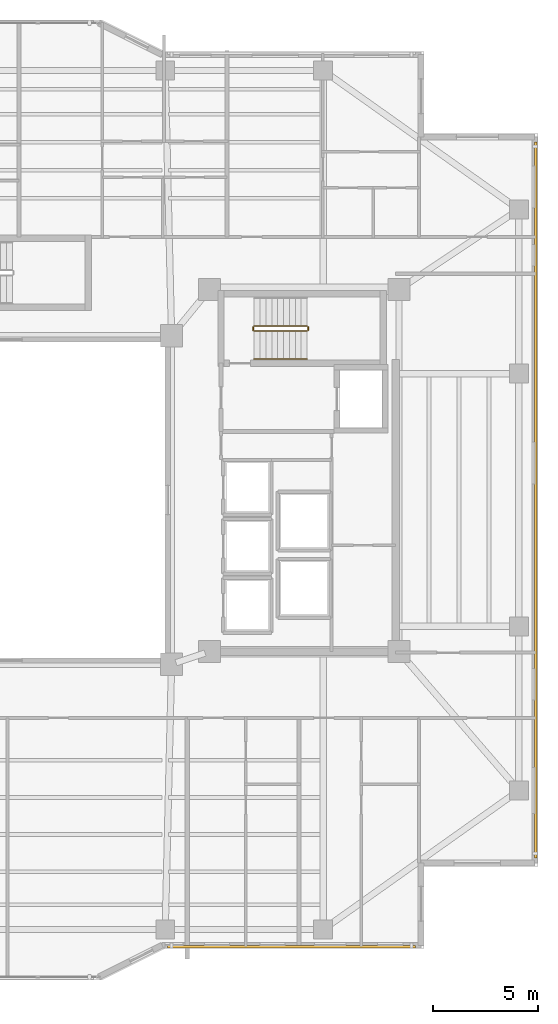
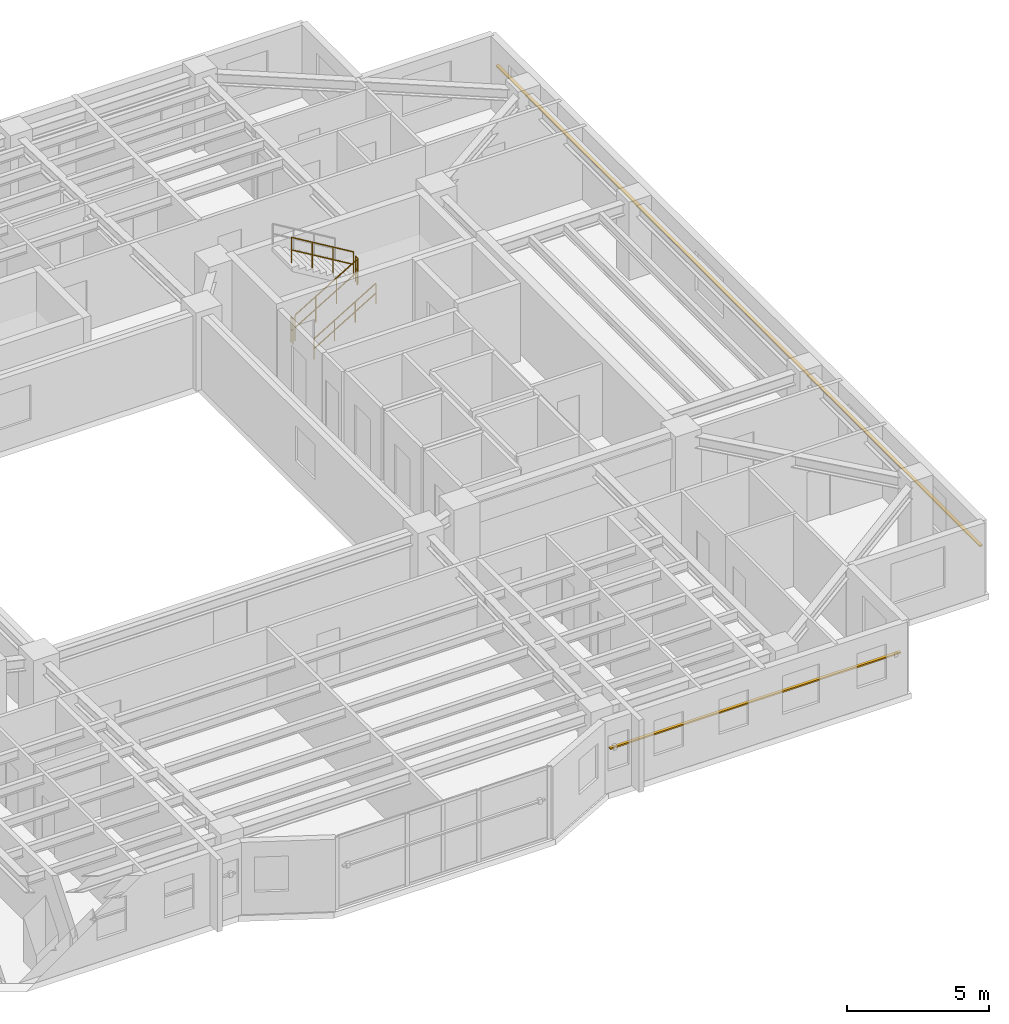
# One storey, part 15 of 16: 5 railings, 2 shading devices.
"""IFC4 building model written with IfcOpenShell, lengths in metres."""

import ifcopenshell
import ifcopenshell.guid

model = None  # the IFC model being written
_history = None  # IfcOwnerHistory: only IFC2X3 demands one
_inside = {}  # id of a spatial element -> (the spatial element, [elements in it])
_under = {}  # id of a project, library or spatial element -> (it, [spatial elements below it])
_declared = {}  # id of a project -> (the project, [libraries it declares])
_typed = {}  # id of a type object -> (the type object, [elements of that type])
_made_of = {}  # id of a material, layer set ... -> (it, [elements and type objects made of it])


def new_model(schema):
    """Start an empty IFC model of exactly this schema.

    Asked for "IFC4X3", IfcOpenShell would pick the latest addendum, in which some entities
    have other attributes; the version numbers below select the first issue.
    IFC2X3 requires an IfcOwnerHistory on every rooted entity: one is made here for all.
    """
    global model, _history
    if schema == "IFC4X3":
        model = ifcopenshell.file(schema_version=(4, 3, 0, 0))
    else:
        model = ifcopenshell.file(schema=schema)
    _inside.clear()
    _under.clear()
    _declared.clear()
    _typed.clear()
    _made_of.clear()
    _history = None
    if model.schema == "IFC2X3":
        org = make("IfcOrganization", Name="unknown")
        user = make(
            "IfcPersonAndOrganization",
            ThePerson=make("IfcPerson", FamilyName="unknown"),
            TheOrganization=org,
        )
        app = make(
            "IfcApplication",
            ApplicationDeveloper=org,
            Version="unknown",
            ApplicationFullName="unknown",
            ApplicationIdentifier="unknown",
        )
        _history = make(
            "IfcOwnerHistory",
            OwningUser=user,
            OwningApplication=app,
            ChangeAction="ADDED",
            CreationDate=0,
        )
    return model


def make(cls, **values):
    """One entity of the class cls with the attributes given. An attribute that is None is left unset."""
    return model.create_entity(
        cls, **{name: value for name, value in values.items() if value is not None}
    )


def rooted(cls, **values):
    """An entity with a GlobalId (a new one), such as an element, a storey or a relation."""
    return make(cls, GlobalId=ifcopenshell.guid.new(), OwnerHistory=_history, **values)


def si_unit(unit_type, name, prefix=None):
    """IfcSIUnit, for example si_unit("LENGTHUNIT", "METRE", prefix="MILLI")."""
    return make("IfcSIUnit", UnitType=unit_type, Prefix=prefix, Name=name)


def assignment(units):
    """IfcUnitAssignment: the units of a project."""
    return None if units is None else make("IfcUnitAssignment", Units=units)


def point(xyz):
    """IfcCartesianPoint."""
    return None if xyz is None else make("IfcCartesianPoint", Coordinates=xyz)


def direction(xyz):
    """IfcDirection."""
    return None if xyz is None else make("IfcDirection", DirectionRatios=xyz)


def frame(location, z_axis=None, x_axis=None):
    """IfcAxis2Placement3D, a coordinate frame: its origin and axes. An axis left out is left unset."""
    return make(
        "IfcAxis2Placement3D",
        Location=point(location),
        Axis=direction(z_axis),
        RefDirection=direction(x_axis),
    )


def frame_2d(location, x_axis=None):
    """IfcAxis2Placement2D, a coordinate frame in the plane: its origin and x axis."""
    return make(
        "IfcAxis2Placement2D", Location=point(location), RefDirection=direction(x_axis)
    )


def origin():
    """The frame at (0, 0, 0) with its axes left unset."""
    return frame((0.0, 0.0, 0.0))


def origin_2d():
    """The frame at (0, 0) in the plane with its x axis left unset."""
    return frame_2d((0.0, 0.0))


def place(relative_to, where):
    """IfcLocalPlacement: puts the frame where relative to a parent placement (None: the world)."""
    return make(
        "IfcLocalPlacement", PlacementRelTo=relative_to, RelativePlacement=where
    )


def context(
    kind, dimensions, precision=None, world=None, true_north=None, identifier=None
):
    """IfcGeometricRepresentationContext, for example the 3D "Model" context."""
    return make(
        "IfcGeometricRepresentationContext",
        ContextIdentifier=identifier,
        ContextType=kind,
        CoordinateSpaceDimension=dimensions,
        Precision=precision,
        WorldCoordinateSystem=world,
        TrueNorth=true_north,
    )


def subcontext(parent, identifier, kind, view, scale=None):
    """IfcGeometricRepresentationSubContext, for example "Body" below "Model"."""
    return make(
        "IfcGeometricRepresentationSubContext",
        ContextIdentifier=identifier,
        ContextType=kind,
        ParentContext=parent,
        TargetScale=scale,
        TargetView=view,
    )


def project(units=None, contexts=None):
    """IfcProject with its units and contexts."""
    return rooted(
        "IfcProject",
        Name="project",
        RepresentationContexts=contexts,
        UnitsInContext=assignment(units),
    )


def spatial(cls, under=None, at=None, **own):
    """A site, building, storey or space (cls), placed at a placement, below another one or the project."""
    s = rooted(cls, ObjectPlacement=at, **own)
    if under is not None:
        _under.setdefault(under.id(), (under, []))[1].append(s)
    return s


def profile(cls, at=None, kind="AREA", **sizes):
    """A parametric profile (cls). Its sizes go by their IFC names, for example OverallWidth=200.0."""
    return make(cls, ProfileType=kind, Position=at, **sizes)


def rectangle(**sizes):
    """IfcRectangleProfileDef."""
    return profile("IfcRectangleProfileDef", **sizes)


def circle(**sizes):
    """IfcCircleProfileDef."""
    return profile("IfcCircleProfileDef", **sizes)


def extrude(swept, where, along, depth):
    """IfcExtrudedAreaSolid: the profile swept, set in the frame where, extruded along a direction by depth."""
    return make(
        "IfcExtrudedAreaSolid",
        SweptArea=swept,
        Position=where,
        ExtrudedDirection=direction(along),
        Depth=depth,
    )


def shape(context_of_items, identifier, shape_type, items):
    """IfcShapeRepresentation: the items that make up one representation, for example the "Body"."""
    return make(
        "IfcShapeRepresentation",
        ContextOfItems=context_of_items,
        RepresentationIdentifier=identifier,
        RepresentationType=shape_type,
        Items=items,
    )


def material(Name=None, Category=None):
    """IfcMaterial."""
    return make("IfcMaterial", Name=Name, Category=Category)


def material_profile(
    of_material, cross_section, Name=None, Category=None, Priority=None
):
    """IfcMaterialProfile: a cross section and its material."""
    return make(
        "IfcMaterialProfile",
        Name=Name,
        Material=of_material,
        Profile=cross_section,
        Priority=Priority,
        Category=Category,
    )


def profile_set(profiles, Name=None, composite=None):
    """IfcMaterialProfileSet."""
    return make(
        "IfcMaterialProfileSet",
        Name=Name,
        MaterialProfiles=profiles,
        CompositeProfile=composite,
    )


def made_of(thing, what):
    """Note that an element or type object is made of a material, layer set ...; save() writes the relation."""
    if what is not None:
        _made_of.setdefault(what.id(), (what, []))[1].append(thing)
    return thing


def type_object(cls, material=None, **own):
    """A type object (cls), such as IfcWallType, which elements share."""
    return made_of(rooted(cls, **own), material)


def element(
    cls,
    number,
    at=None,
    inside=None,
    cuts=None,
    type_object=None,
    material=None,
    context=None,
    identifier="Body",
    shape_type=None,
    held_by="IfcProductDefinitionShape",
    body=None,
    shapes=None,
    **own,
):
    """One element of the class cls, such as IfcWall. Its Tag is "e" and its number.

    at: its placement. inside: the storey or other place that contains it. cuts: it is an
    opening in that element (IfcRelVoidsElement). A single representation is given by context,
    identifier, shape_type and body (its items); several are given by shapes. held_by: the class
    of the entity that holds the representations. save() writes the other relations.
    """
    e = rooted(cls, Tag="e%d" % number, ObjectPlacement=at, **own)
    if body is not None:
        shapes = [shape(context, identifier, shape_type, body)]
    if shapes is not None:
        e.Representation = make(held_by, Representations=shapes)
    if inside is not None:
        _inside.setdefault(inside.id(), (inside, []))[1].append(e)
    if cuts is not None:
        rooted(
            "IfcRelVoidsElement", RelatingBuildingElement=cuts, RelatedOpeningElement=e
        )
    if type_object is not None:
        _typed.setdefault(type_object.id(), (type_object, []))[1].append(e)
    return made_of(e, material)


def aggregate(whole, parts):
    """IfcRelAggregates: a whole, such as a stair, and the parts it consists of."""
    return rooted("IfcRelAggregates", RelatingObject=whole, RelatedObjects=parts)


def save(model, path):
    """Write the relations noted so far, then the file.

    IfcRelAggregates (storeys below a building ...), IfcRelContainedInSpatialStructure (elements
    in a storey), IfcRelDefinesByType, IfcRelAssociatesMaterial and IfcRelDeclares: one each for
    every whole, place, type object, material and project.
    """
    for whole, parts in _under.values():
        aggregate(whole, parts)
    for where, things in _inside.values():
        rooted(
            "IfcRelContainedInSpatialStructure",
            RelatedElements=things,
            RelatingStructure=where,
        )
    for kind, things in _typed.values():
        rooted("IfcRelDefinesByType", RelatedObjects=things, RelatingType=kind)
    for what, things in _made_of.values():
        rooted("IfcRelAssociatesMaterial", RelatedObjects=things, RelatingMaterial=what)
    for by, libraries in _declared.values():
        rooted("IfcRelDeclares", RelatingContext=by, RelatedDefinitions=libraries)
    model.write(path)


model = new_model("IFC4")

# Units and contexts
model_context = context("Model", 3, precision=1e-05, world=origin(), true_north=direction((0.0, 1.0)))
body_context = subcontext(model_context, "Body", "Model", "MODEL_VIEW")
ifc_project = project(units=[si_unit("LENGTHUNIT", "METRE"), si_unit("AREAUNIT", "SQUARE_METRE"), si_unit("VOLUMEUNIT", "CUBIC_METRE"), si_unit("PLANEANGLEUNIT", "RADIAN"), si_unit("MASSUNIT", "GRAM", prefix="KILO")], contexts=[model_context])

# Site, building, storey
site_placement = place(None, origin())
site = spatial("IfcSite", under=ifc_project, at=site_placement, CompositionType="ELEMENT")
building_placement = place(site_placement, origin())
building = spatial("IfcBuilding", under=site, at=building_placement, Name="Tarnavaz Court Tower", CompositionType="ELEMENT")
storey_placement = place(building_placement, frame((0.0, 0.0, 152.699951171875)))
storey = spatial("IfcBuildingStorey", under=building, at=storey_placement, Name="L41", CompositionType="ELEMENT", Elevation=152.699951171875)

# Railings
ifc_material_1 = material(Name="Brushed Stainless Steel", Category="steel")
railing_type_1 = type_object("IfcRailingType", Name="RL-HANDRAIL-900", PredefinedType="HANDRAIL", material=ifc_material_1)
railing_1_placement = place(storey_placement, frame((11.719970703125, 6.699951171875, 0.16748046875)))
element("IfcRailing", 1, at=railing_1_placement, inside=storey, type_object=railing_type_1, Name="L41 ST-E1 stair handrail 1", PredefinedType="HANDRAIL", context=body_context, shape_type="SweptSolid", body=[
    extrude(circle(Radius=0.02392578125, at=origin_2d()), frame((0.0, 0.0, 0.8759765625), z_axis=(0.858159760407, 0.0, 0.513382728203), x_axis=(0.0, 1.0, 0.0)), (0.0, 0.0, 1.0), 2.9365234375),
    extrude(circle(Radius=0.02392578125, at=origin_2d()), frame((0.0, 0.0, 0.449951171875), z_axis=(0.858159760407, 0.0, 0.513382728203), x_axis=(0.0, 1.0, 0.0)), (0.0, 0.0, 1.0), 2.9365234375),
    extrude(circle(Radius=0.02099609375, at=origin_2d()), origin(), (0.0, 0.0, 1.0), 0.851806640625),
    extrude(circle(Radius=0.02099609375, at=origin_2d()), frame((0.840087890625, 0.0, 0.50244140625)), (0.0, 0.0, 1.0), 0.851806640625),
    extrude(circle(Radius=0.02099609375, at=origin_2d()), frame((1.679931640625, 0.0, 1.005126953125)), (0.0, 0.0, 1.0), 0.851806640625),
    extrude(circle(Radius=0.02099609375, at=origin_2d()), frame((2.52001953125, 0.0, 1.507568359375)), (0.0, 0.0, 1.0), 0.851806640625),
])
ifc_material_2 = material(Name="Galvanized Painted Tubular Steel", Category="steel")
railing_type_2 = type_object("IfcRailingType", Name="RL-STGUARD-1120", PredefinedType="GUARDRAIL", material=ifc_material_2)
railing_2_placement = place(storey_placement, frame((11.719970703125, 8.02001953125, 0.16748046875)))
element("IfcRailing", 2, at=railing_2_placement, inside=storey, type_object=railing_type_2, Name="L41 ST-E1 stair guard 1", PredefinedType="GUARDRAIL", context=body_context, shape_type="SweptSolid", body=[
    extrude(circle(Radius=0.02392578125, at=origin_2d()), frame((0.0, 0.0, 1.09619140625), z_axis=(0.858159760407, 0.0, 0.513382728203), x_axis=(0.0, 1.0, 0.0)), (0.0, 0.0, 1.0), 2.9365234375),
    extrude(circle(Radius=0.02392578125, at=origin_2d()), frame((0.0, 0.0, 0.56005859375), z_axis=(0.858159760407, 0.0, 0.513382728203), x_axis=(0.0, 1.0, 0.0)), (0.0, 0.0, 1.0), 2.9365234375),
    extrude(circle(Radius=0.02099609375, at=origin_2d()), origin(), (0.0, 0.0, 1.0), 1.072021484375),
    extrude(circle(Radius=0.02099609375, at=origin_2d()), frame((0.840087890625, 0.0, 0.50244140625)), (0.0, 0.0, 1.0), 1.072021484375),
    extrude(circle(Radius=0.02099609375, at=origin_2d()), frame((1.679931640625, 0.0, 1.005126953125)), (0.0, 0.0, 1.0), 1.072021484375),
    extrude(circle(Radius=0.02099609375, at=origin_2d()), frame((2.52001953125, 0.0, 1.507568359375)), (0.0, 0.0, 1.0), 1.072021484375),
])
railing_3_placement = place(storey_placement, frame((14.2900390625, 8.070068359375, 1.675048828125)))
element("IfcRailing", 3, at=railing_3_placement, inside=storey, type_object=railing_type_2, Name="L41 ST-E1 stair guard 2", PredefinedType="GUARDRAIL", context=body_context, shape_type="SweptSolid", body=[
    extrude(circle(Radius=0.02392578125, at=origin_2d()), frame((0.0, 0.0, 1.09619140625), z_axis=(0.0, 1.0, 0.0), x_axis=(-1.0, 0.0, 0.0)), (0.0, 0.0, 1.0), 0.14990234375),
    extrude(circle(Radius=0.02392578125, at=origin_2d()), frame((0.0, 0.0, 0.56005859375), z_axis=(0.0, 1.0, 0.0), x_axis=(-1.0, 0.0, 0.0)), (0.0, 0.0, 1.0), 0.14990234375),
    extrude(circle(Radius=0.02099609375, at=origin_2d()), origin(), (0.0, 0.0, 1.0), 1.072021484375),
    extrude(circle(Radius=0.02099609375, at=origin_2d()), frame((0.0, 0.14990234375, 0.0)), (0.0, 0.0, 1.0), 1.072021484375),
])
railing_4_placement = place(storey_placement, frame((14.239990234375, 8.27001953125, 1.842529296875)))
element("IfcRailing", 4, at=railing_4_placement, inside=storey, type_object=railing_type_2, Name="L41 ST-E1 stair guard 3", PredefinedType="GUARDRAIL", context=body_context, shape_type="SweptSolid", body=[
    extrude(circle(Radius=0.02392578125, at=origin_2d()), frame((0.0, 0.0, 1.09619140625), z_axis=(-0.858159760407, 0.0, 0.513382728203), x_axis=(0.0, -1.0, 0.0)), (0.0, 0.0, 1.0), 2.9365234375),
    extrude(circle(Radius=0.02392578125, at=origin_2d()), frame((0.0, 0.0, 0.56005859375), z_axis=(-0.858159760407, 0.0, 0.513382728203), x_axis=(0.0, -1.0, 0.0)), (0.0, 0.0, 1.0), 2.9365234375),
    extrude(circle(Radius=0.02099609375, at=origin_2d()), origin(), (0.0, 0.0, 1.0), 1.072021484375),
    extrude(circle(Radius=0.02099609375, at=origin_2d()), frame((-0.840087890625, 0.0, 0.50244140625)), (0.0, 0.0, 1.0), 1.072021484375),
    extrude(circle(Radius=0.02099609375, at=origin_2d()), frame((-1.679931640625, 0.0, 1.005126953125)), (0.0, 0.0, 1.0), 1.072021484375),
    extrude(circle(Radius=0.02099609375, at=origin_2d()), frame((-2.52001953125, 0.0, 1.507568359375)), (0.0, 0.0, 1.0), 1.072021484375),
])
railing_5_placement = place(storey_placement, frame((11.669921875, 8.070068359375, 0.0)))
element("IfcRailing", 5, at=railing_5_placement, inside=storey, type_object=railing_type_2, Name="L41 ST-E1 stair guard 4", PredefinedType="GUARDRAIL", context=body_context, shape_type="SweptSolid", body=[
    extrude(circle(Radius=0.02392578125, at=origin_2d()), frame((0.0, 0.0, 1.09619140625), z_axis=(0.0, 1.0, 0.0), x_axis=(-1.0, 0.0, 0.0)), (0.0, 0.0, 1.0), 0.14990234375),
    extrude(circle(Radius=0.02392578125, at=origin_2d()), frame((0.0, 0.0, 0.56005859375), z_axis=(0.0, 1.0, 0.0), x_axis=(-1.0, 0.0, 0.0)), (0.0, 0.0, 1.0), 0.14990234375),
    extrude(circle(Radius=0.02099609375, at=origin_2d()), origin(), (0.0, 0.0, 1.0), 1.072021484375),
    extrude(circle(Radius=0.02099609375, at=origin_2d()), frame((0.0, 0.14990234375, 0.0)), (0.0, 0.0, 1.0), 1.072021484375),
])

# Shading devices
ifc_material_3 = material(Name="Kiln-Fired Khorasan Terracotta Ceramic", Category="masonry")
ifc_material_profile = material_profile(ifc_material_3, rectangle(XDim=0.1201171875, YDim=0.06005859375, at=origin_2d()), Name="TC BAGUETTE 120X60")
ifc_profile_set = profile_set([ifc_material_profile], Name="Kiln-Fired Khorasan Terracotta Ceramic")
shading_device_type = type_object("IfcShadingDeviceType", Name="SD-BAG-120", PredefinedType="USERDEFINED", material=ifc_profile_set)
shading_device_1_placement = place(storey_placement, frame((25.110107421875, 17.0, 1.85009765625), z_axis=(0.0, -1.0, 0.0), x_axis=(1.0, 0.0, 0.0)))
element("IfcShadingDevice", 6, at=shading_device_1_placement, inside=storey, type_object=shading_device_type, Name="L41 Terracotta Baguette Screen FBG12", ObjectType="BAGUETTE", PredefinedType="USERDEFINED", context=body_context, shape_type="SweptSolid", body=[
    extrude(rectangle(XDim=0.1201171875, YDim=0.06005859375, at=origin_2d()), origin(), (0.0, 0.0, 1.0), 34.0),
])
shading_device_2_placement = place(storey_placement, frame((19.39990234375, -21.2099609375, 1.85009765625), z_axis=(-1.0, 0.0, 0.0), x_axis=(0.0, -1.0, 0.0)))
element("IfcShadingDevice", 7, at=shading_device_2_placement, inside=storey, type_object=shading_device_type, Name="L41 Terracotta Baguette Screen FBG15", ObjectType="BAGUETTE", PredefinedType="USERDEFINED", context=body_context, shape_type="SweptSolid", body=[
    extrude(rectangle(XDim=0.1201171875, YDim=0.06005859375, at=origin_2d()), origin(), (0.0, 0.0, 1.0), 11.7998046875),
])

save(model, "model.ifc")
